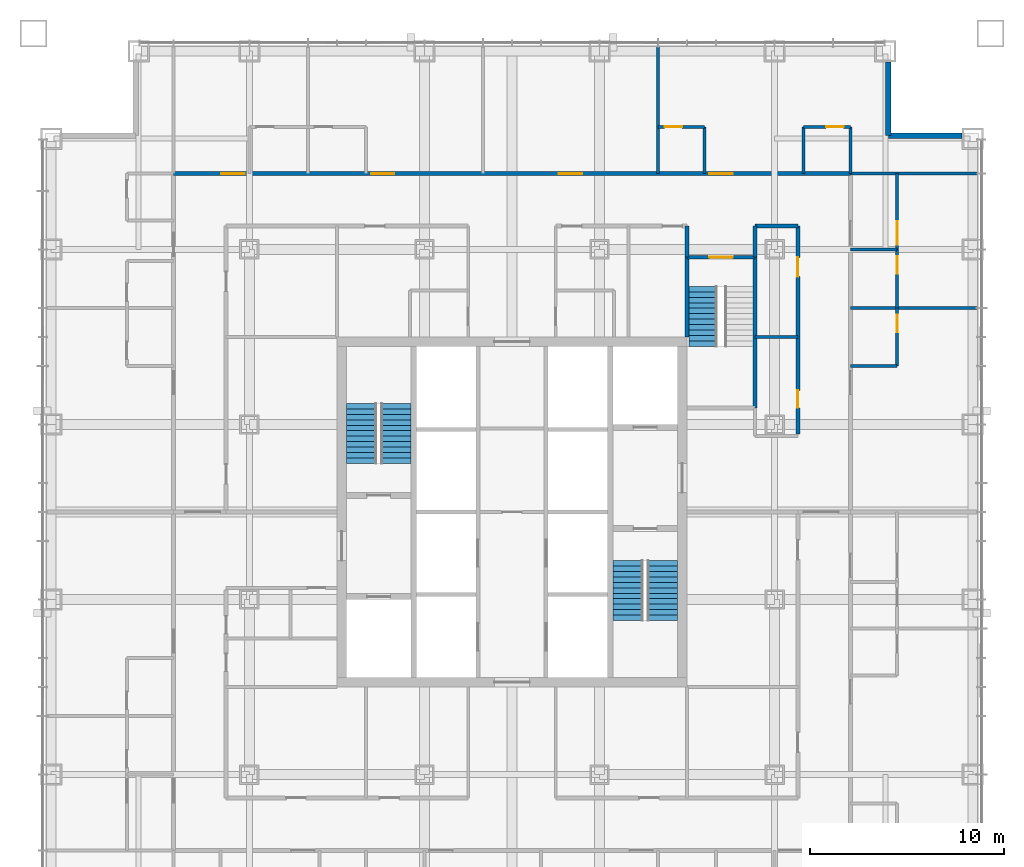
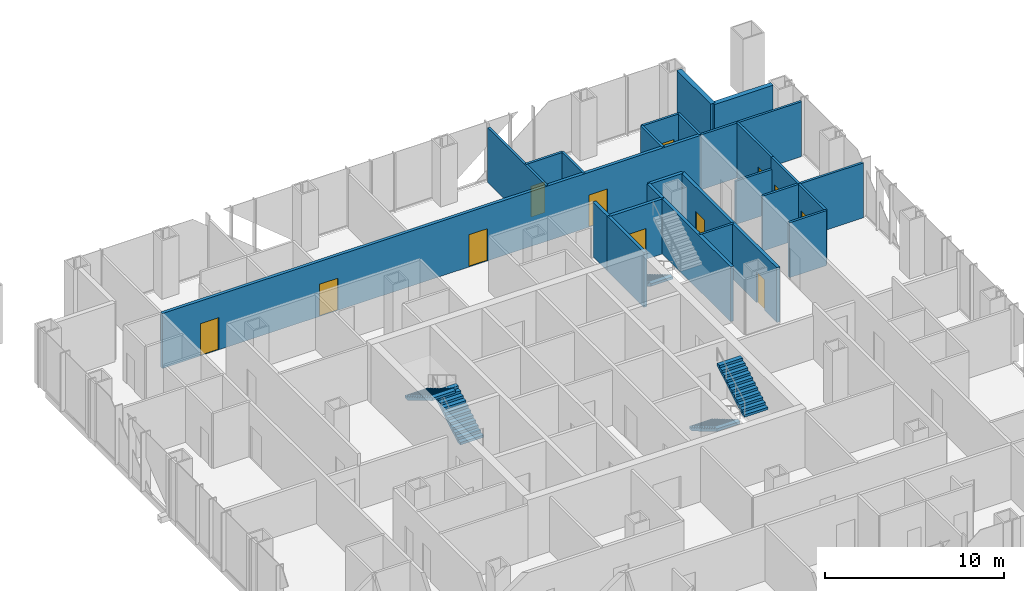
# One storey, part 12 of 18: 24 walls, 12 doors, 5 stair flights, 12 openings, 3 elements without a shape of their own.
"""IFC4 building model written with IfcOpenShell, lengths in metres."""

from ifc_helpers import new_model, si_unit, direction, frame, frame_2d, origin, place, context, subcontext, project, spatial, polyline, rectangle, outline, extrude, material, layer, layer_set, type_object, element, fill, aggregate, save


model = new_model("IFC4")

# Units and contexts
model_context = context("Model", 3, precision=1e-05, world=origin(), true_north=direction((0.0, 1.0)))
body_context = subcontext(model_context, "Body", "Model", "MODEL_VIEW")
ifc_project = project(units=[si_unit("LENGTHUNIT", "METRE"), si_unit("AREAUNIT", "SQUARE_METRE"), si_unit("VOLUMEUNIT", "CUBIC_METRE"), si_unit("PLANEANGLEUNIT", "RADIAN"), si_unit("MASSUNIT", "GRAM", prefix="KILO")], contexts=[model_context])

# Site, building, storey
site_placement = place(None, origin())
site = spatial("IfcSite", under=ifc_project, at=site_placement, CompositionType="ELEMENT")
building_placement = place(site_placement, origin())
building = spatial("IfcBuilding", under=site, at=building_placement, Name="Malebo Sky Hospital", CompositionType="ELEMENT")
storey_placement = place(building_placement, frame((0.0, 0.0, 124.0)))
storey = spatial("IfcBuildingStorey", under=building, at=storey_placement, Name="L29", CompositionType="ELEMENT", Elevation=124.0)

# Wall, openings, doors
ifc_material_1 = material(Name="Gypsum board on steel studs", Category="steel")
ifc_layer_1 = layer(ifc_material_1, 0.199951171875)
ifc_layer_set_1 = layer_set([ifc_layer_1], Name="CORRIDOR WALL 200")
wall_type_1 = type_object("IfcWallType", Name="CORRIDOR WALL 200", PredefinedType="PARTITIONING", material=ifc_layer_set_1)
wall_1_placement = place(storey_placement, frame((42.60009765625, 79.39990234375, 0.0), z_axis=(0.0, 0.0, 1.0), x_axis=(1.0, 0.0, 0.0)))
wall_1 = element("IfcWall", 1, at=wall_1_placement, inside=storey, type_object=wall_type_1, Name="Corridor Wall 200 NCO", PredefinedType="PARTITIONING", context=body_context, shape_type="SweptSolid", body=[
    extrude(rectangle(XDim=34.7998046875, YDim=0.199951171875, at=frame_2d((17.39990234375, 0.0))), origin(), (0.0, 0.0, 1.0), 3.75),
])
opening_1_placement = place(wall_1_placement, frame((2.449951171875, 0.0, 0.0)))
opening_1 = element("IfcOpeningElement", 2, at=opening_1_placement, cuts=wall_1, Name="Opening D01", PredefinedType="OPENING", context=body_context, shape_type="SweptSolid", body=[
    extrude(rectangle(XDim=1.199951171875, YDim=2.199951171875, at=frame_2d((0.60009765625, 1.10009765625))), frame((0.0, 0.10986328125, 0.0), z_axis=(0.0, -1.0, 0.0), x_axis=(1.0, 0.0, 0.0)), (0.0, 0.0, 1.0), 0.219970703125),
])
opening_2_placement = place(wall_1_placement, frame((10.14990234375, 0.0, 0.0)))
opening_2 = element("IfcOpeningElement", 3, at=opening_2_placement, cuts=wall_1, Name="Opening D01", PredefinedType="OPENING", context=body_context, shape_type="SweptSolid", body=[
    extrude(rectangle(XDim=1.199951171875, YDim=2.199951171875, at=frame_2d((0.60009765625, 1.10009765625))), frame((0.0, 0.10986328125, 0.0), z_axis=(0.0, -1.0, 0.0), x_axis=(1.0, 0.0, 0.0)), (0.0, 0.0, 1.0), 0.219970703125),
])
opening_3_placement = place(wall_1_placement, frame((19.800048828125, 0.0, 0.0)))
opening_3 = element("IfcOpeningElement", 4, at=opening_3_placement, cuts=wall_1, Name="Opening D01", PredefinedType="OPENING", context=body_context, shape_type="SweptSolid", body=[
    extrude(rectangle(XDim=1.199951171875, YDim=2.199951171875, at=frame_2d((0.60009765625, 1.10009765625))), frame((0.0, 0.10986328125, 0.0), z_axis=(0.0, -1.0, 0.0), x_axis=(1.0, 0.0, 0.0)), (0.0, 0.0, 1.0), 0.219970703125),
])
opening_4_placement = place(wall_1_placement, frame((27.550048828125, 0.0, 0.0)))
opening_4 = element("IfcOpeningElement", 5, at=opening_4_placement, cuts=wall_1, Name="Opening D01", PredefinedType="OPENING", context=body_context, shape_type="SweptSolid", body=[
    extrude(rectangle(XDim=1.199951171875, YDim=2.199951171875, at=frame_2d((0.60009765625, 1.10009765625))), frame((0.0, 0.10986328125, 0.0), z_axis=(0.0, -1.0, 0.0), x_axis=(1.0, 0.0, 0.0)), (0.0, 0.0, 1.0), 0.219970703125),
])
ifc_material_2 = material(Name="Hardwood-faced door leaf in steel frame", Category="steel")
door_type_1 = type_object("IfcDoorType", Name="BED DOOR 1200", OperationType="SINGLE_SWING_LEFT", PredefinedType="DOOR", material=ifc_material_2)
door_1_placement = place(opening_1_placement, origin())
door_1 = element("IfcDoor", 6, at=door_1_placement, inside=storey, type_object=door_type_1, Name="Two-bed room door", OperationType="SINGLE_SWING_RIGHT", OverallHeight=2.199951171875, OverallWidth=1.199951171875, PredefinedType="DOOR", context=body_context, shape_type="SweptSolid", body=[
    extrude(rectangle(XDim=1.199951171875, YDim=2.199951171875, at=frame_2d((0.60009765625, 1.10009765625))), frame((0.0, 0.02490234375, 0.0), z_axis=(0.0, -1.0, 0.0), x_axis=(1.0, 0.0, 0.0)), (0.0, 0.0, 1.0), 0.050048828125),
])
fill(opening_1, door_1)
door_2_placement = place(opening_2_placement, origin())
door_2 = element("IfcDoor", 7, at=door_2_placement, inside=storey, type_object=door_type_1, Name="Two-bed room door", OperationType="SINGLE_SWING_LEFT", OverallHeight=2.199951171875, OverallWidth=1.199951171875, PredefinedType="DOOR", context=body_context, shape_type="SweptSolid", body=[
    extrude(rectangle(XDim=1.199951171875, YDim=2.199951171875, at=frame_2d((0.60009765625, 1.10009765625))), frame((0.0, 0.02490234375, 0.0), z_axis=(0.0, -1.0, 0.0), x_axis=(1.0, 0.0, 0.0)), (0.0, 0.0, 1.0), 0.050048828125),
])
fill(opening_2, door_2)
door_3_placement = place(opening_3_placement, origin())
door_3 = element("IfcDoor", 8, at=door_3_placement, inside=storey, type_object=door_type_1, Name="Therapy room door", OperationType="SINGLE_SWING_LEFT", OverallHeight=2.199951171875, OverallWidth=1.199951171875, PredefinedType="DOOR", context=body_context, shape_type="SweptSolid", body=[
    extrude(rectangle(XDim=1.199951171875, YDim=2.199951171875, at=frame_2d((0.60009765625, 1.10009765625))), frame((0.0, 0.02490234375, 0.0), z_axis=(0.0, -1.0, 0.0), x_axis=(1.0, 0.0, 0.0)), (0.0, 0.0, 1.0), 0.050048828125),
])
fill(opening_3, door_3)
door_4_placement = place(opening_4_placement, origin())
door_4 = element("IfcDoor", 9, at=door_4_placement, inside=storey, type_object=door_type_1, Name="Four-bed bay door", OperationType="SINGLE_SWING_LEFT", OverallHeight=2.199951171875, OverallWidth=1.199951171875, PredefinedType="DOOR", context=body_context, shape_type="SweptSolid", body=[
    extrude(rectangle(XDim=1.199951171875, YDim=2.199951171875, at=frame_2d((0.60009765625, 1.10009765625))), frame((0.0, 0.02490234375, 0.0), z_axis=(0.0, -1.0, 0.0), x_axis=(1.0, 0.0, 0.0)), (0.0, 0.0, 1.0), 0.050048828125),
])
fill(opening_4, door_4)

# Wall
wall_2_placement = place(storey_placement, frame((72.5, 76.699951171875, 0.0), z_axis=(0.0, 0.0, 1.0), x_axis=(1.0, 0.0, 0.0)))
element("IfcWall", 10, at=wall_2_placement, inside=storey, type_object=wall_type_1, Name="Corridor Wall 200 NCI2/2", PredefinedType="PARTITIONING", context=body_context, shape_type="SweptSolid", body=[
    extrude(rectangle(XDim=2.199951171875, YDim=0.199951171875, at=frame_2d((1.10009765625, 0.0))), origin(), (0.0, 0.0, 1.0), 3.75),
])

# Wall, openings, doors
wall_3_placement = place(storey_placement, frame((74.699951171875, 76.699951171875, 0.0), z_axis=(0.0, 0.0, 1.0), x_axis=(0.0, -1.0, 0.0)))
wall_3 = element("IfcWall", 11, at=wall_3_placement, inside=storey, type_object=wall_type_1, Name="Corridor Wall 200 ECI1", PredefinedType="PARTITIONING", context=body_context, shape_type="SweptSolid", body=[
    extrude(rectangle(XDim=10.699951171875, YDim=0.199951171875, at=frame_2d((5.35009765625, 0.0))), origin(), (0.0, 0.0, 1.0), 3.75),
])
opening_5_placement = place(wall_3_placement, frame((1.60009765625, 0.0, 0.0)))
opening_5 = element("IfcOpeningElement", 12, at=opening_5_placement, cuts=wall_3, Name="Opening D03", PredefinedType="OPENING", context=body_context, shape_type="SweptSolid", body=[
    extrude(rectangle(XDim=1.0, YDim=2.10009765625, at=frame_2d((0.5, 1.050048828125))), frame((0.0, 0.10986328125, 0.0), z_axis=(0.0, -1.0, 0.0), x_axis=(1.0, 0.0, 0.0)), (0.0, 0.0, 1.0), 0.219970703125),
])
opening_6_placement = place(wall_3_placement, frame((8.449951171875, 0.0, 0.0)))
opening_6 = element("IfcOpeningElement", 13, at=opening_6_placement, cuts=wall_3, Name="Opening D04", PredefinedType="OPENING", context=body_context, shape_type="SweptSolid", body=[
    extrude(rectangle(XDim=0.89990234375, YDim=2.10009765625, at=frame_2d((0.449951171875, 1.050048828125))), frame((0.0, 0.10986328125, 0.0), z_axis=(0.0, -1.0, 0.0), x_axis=(1.0, 0.0, 0.0)), (0.0, 0.0, 1.0), 0.219970703125),
])
door_type_2 = type_object("IfcDoorType", Name="ROOM DOOR 1000", OperationType="SINGLE_SWING_LEFT", PredefinedType="DOOR", material=ifc_material_2)
door_5_placement = place(opening_5_placement, origin())
door_5 = element("IfcDoor", 14, at=door_5_placement, inside=storey, type_object=door_type_2, Name="Clean utility room door", OperationType="SINGLE_SWING_LEFT", OverallHeight=2.10009765625, OverallWidth=1.0, PredefinedType="DOOR", context=body_context, shape_type="SweptSolid", body=[
    extrude(rectangle(XDim=1.0, YDim=2.10009765625, at=frame_2d((0.5, 1.050048828125))), frame((0.0, 0.02490234375, 0.0), z_axis=(0.0, -1.0, 0.0), x_axis=(1.0, 0.0, 0.0)), (0.0, 0.0, 1.0), 0.050048828125),
])
fill(opening_5, door_5)
door_type_3 = type_object("IfcDoorType", Name="ROOM DOOR 900", OperationType="SINGLE_SWING_LEFT", PredefinedType="DOOR", material=ifc_material_2)
door_6_placement = place(opening_6_placement, origin())
door_6 = element("IfcDoor", 15, at=door_6_placement, inside=storey, type_object=door_type_3, Name="Equipment store door", OperationType="SINGLE_SWING_RIGHT", OverallHeight=2.10009765625, OverallWidth=0.89990234375, PredefinedType="DOOR", context=body_context, shape_type="SweptSolid", body=[
    extrude(rectangle(XDim=0.89990234375, YDim=2.10009765625, at=frame_2d((0.449951171875, 1.050048828125))), frame((0.0, 0.02490234375, 0.0), z_axis=(0.0, -1.0, 0.0), x_axis=(1.0, 0.0, 0.0)), (0.0, 0.0, 1.0), 0.050048828125),
])
fill(opening_6, door_6)

# Walls
for number, where, z_axis, x_axis, name in (
    (16, (69.0, 75.10009765625, 0.0), (0.0, 0.0, 1.0), (0.0, 1.0, 0.0), "Corridor Wall 200 ST3AW"),
    (17, (72.5, 75.10009765625, 0.0), (0.0, 0.0, 1.0), (0.0, 1.0, 0.0), "Corridor Wall 200 ST3AE"),
):
    element("IfcWall", number, at=place(storey_placement, frame(where, z_axis=z_axis, x_axis=x_axis)), inside=storey, type_object=wall_type_1, Name=name, PredefinedType="PARTITIONING", context=body_context, shape_type="SweptSolid", body=[
        extrude(rectangle(XDim=1.599853515625, YDim=0.199951171875, at=frame_2d((0.7998046875, 0.0))), origin(), (0.0, 0.0, 1.0), 3.75),
    ])
ifc_material_3 = material(Name="Anodised aluminium rainscreen on steel framing", Category="steel")
ifc_layer_2 = layer(ifc_material_3, 0.300048828125)
ifc_layer_set_2 = layer_set([ifc_layer_2], Name="NOTCH RAINSCREEN WALL 300")
wall_type_2 = type_object("IfcWallType", Name="NOTCH RAINSCREEN WALL 300", PredefinedType="ELEMENTEDWALL", material=ifc_layer_set_2)
for number, where, z_axis, x_axis, name in (
    (18, (79.35009765625, 85.14990234375, 0.0), (0.0, 0.0, 1.0), (0.0, -1.0, 0.0), "Notch rainscreen wall N1 L29"),
    (19, (79.35009765625, 81.35009765625, 0.0), (0.0, 0.0, 1.0), (1.0, 0.0, 0.0), "Notch rainscreen wall N2 L29"),
):
    element("IfcWall", number, at=place(storey_placement, frame(where, z_axis=z_axis, x_axis=x_axis)), inside=storey, type_object=wall_type_2, Name=name, PredefinedType="ELEMENTEDWALL", context=body_context, shape_type="SweptSolid", body=[
        extrude(rectangle(XDim=3.7998046875, YDim=0.300048828125, at=frame_2d((1.89990234375, 0.0))), origin(), (0.0, 0.0, 1.0), 4.0),
    ])
ifc_layer_3 = layer(ifc_material_1, 0.14990234375)
ifc_layer_set_3 = layer_set([ifc_layer_3], Name="PARTITION 150")
wall_type_3 = type_object("IfcWallType", Name="PARTITION 150", PredefinedType="PARTITIONING", material=ifc_layer_set_3)
wall_4_placement = place(storey_placement, frame((67.5, 79.39990234375, 0.0), z_axis=(0.0, 0.0, 1.0), x_axis=(0.0, 1.0, 0.0)))
element("IfcWall", 20, at=wall_4_placement, inside=storey, type_object=wall_type_3, Name="Partition 150 NP+7.5", PredefinedType="PARTITIONING", context=body_context, shape_type="SweptSolid", body=[
    extrude(rectangle(XDim=6.510009765625, YDim=0.14990234375, at=frame_2d((3.2548828125, 0.0))), origin(), (0.0, 0.0, 1.0), 3.75),
])

# Wall, opening, door
wall_5_placement = place(storey_placement, frame((67.5, 81.800048828125, 0.0), z_axis=(0.0, 0.0, 1.0), x_axis=(1.0, 0.0, 0.0)))
wall_5 = element("IfcWall", 21, at=wall_5_placement, inside=storey, type_object=wall_type_3, Name="Partition 150 NE3F", PredefinedType="PARTITIONING", context=body_context, shape_type="SweptSolid", body=[
    extrude(rectangle(XDim=2.39990234375, YDim=0.14990234375, at=frame_2d((1.199951171875, 0.0))), origin(), (0.0, 0.0, 1.0), 3.75),
])
opening_7_placement = place(wall_5_placement, frame((0.35009765625, 0.0, 0.0)))
opening_7 = element("IfcOpeningElement", 22, at=opening_7_placement, cuts=wall_5, Name="Opening D02", PredefinedType="OPENING", context=body_context, shape_type="SweptSolid", body=[
    extrude(rectangle(XDim=0.89990234375, YDim=2.10009765625, at=frame_2d((0.449951171875, 1.050048828125))), frame((0.0, 0.0849609375, 0.0), z_axis=(0.0, -1.0, 0.0), x_axis=(1.0, 0.0, 0.0)), (0.0, 0.0, 1.0), 0.169921875),
])
door_type_4 = type_object("IfcDoorType", Name="EN-SUITE DOOR 900", OperationType="SINGLE_SWING_LEFT", PredefinedType="DOOR", material=ifc_material_2)
door_7_placement = place(opening_7_placement, origin())
door_7 = element("IfcDoor", 23, at=door_7_placement, inside=storey, type_object=door_type_4, Name="En-suite door", OperationType="SINGLE_SWING_LEFT", OverallHeight=2.10009765625, OverallWidth=0.89990234375, PredefinedType="DOOR", context=body_context, shape_type="SweptSolid", body=[
    extrude(rectangle(XDim=0.89990234375, YDim=2.10009765625, at=frame_2d((0.449951171875, 1.050048828125))), frame((0.0, 0.02490234375, 0.0), z_axis=(0.0, -1.0, 0.0), x_axis=(1.0, 0.0, 0.0)), (0.0, 0.0, 1.0), 0.050048828125),
])
fill(opening_7, door_7)

# Wall
wall_6_placement = place(storey_placement, frame((69.89990234375, 79.39990234375, 0.0), z_axis=(0.0, 0.0, 1.0), x_axis=(0.0, 1.0, 0.0)))
element("IfcWall", 24, at=wall_6_placement, inside=storey, type_object=wall_type_3, Name="Partition 150 NE3S", PredefinedType="PARTITIONING", context=body_context, shape_type="SweptSolid", body=[
    extrude(rectangle(XDim=2.400146484375, YDim=0.14990234375, at=frame_2d((1.2001953125, 0.0))), origin(), (0.0, 0.0, 1.0), 3.75),
])

# Wall, opening, door
wall_7_placement = place(storey_placement, frame((75.0, 81.800048828125, 0.0), z_axis=(0.0, 0.0, 1.0), x_axis=(1.0, 0.0, 0.0)))
wall_7 = element("IfcWall", 25, at=wall_7_placement, inside=storey, type_object=wall_type_3, Name="Partition 150 NG3F", PredefinedType="PARTITIONING", context=body_context, shape_type="SweptSolid", body=[
    extrude(rectangle(XDim=2.39990234375, YDim=0.14990234375, at=frame_2d((1.199951171875, 0.0))), origin(), (0.0, 0.0, 1.0), 3.75),
])
opening_8_placement = place(wall_7_placement, frame((1.14990234375, 0.0, 0.0)))
opening_8 = element("IfcOpeningElement", 26, at=opening_8_placement, cuts=wall_7, Name="Opening D02", PredefinedType="OPENING", context=body_context, shape_type="SweptSolid", body=[
    extrude(rectangle(XDim=0.89990234375, YDim=2.10009765625, at=frame_2d((0.449951171875, 1.050048828125))), frame((0.0, 0.0849609375, 0.0), z_axis=(0.0, -1.0, 0.0), x_axis=(1.0, 0.0, 0.0)), (0.0, 0.0, 1.0), 0.169921875),
])
door_8_placement = place(opening_8_placement, origin())
door_8 = element("IfcDoor", 27, at=door_8_placement, inside=storey, type_object=door_type_4, Name="En-suite door", OperationType="SINGLE_SWING_RIGHT", OverallHeight=2.10009765625, OverallWidth=0.89990234375, PredefinedType="DOOR", context=body_context, shape_type="SweptSolid", body=[
    extrude(rectangle(XDim=0.89990234375, YDim=2.10009765625, at=frame_2d((0.449951171875, 1.050048828125))), frame((0.0, 0.02490234375, 0.0), z_axis=(0.0, -1.0, 0.0), x_axis=(1.0, 0.0, 0.0)), (0.0, 0.0, 1.0), 0.050048828125),
])
fill(opening_8, door_8)

# Walls
for number, where, z_axis, x_axis, name in (
    (28, (75.0, 79.39990234375, 0.0), (0.0, 0.0, 1.0), (0.0, 1.0, 0.0), "Partition 150 NG3S"),
    (29, (77.39990234375, 79.39990234375, 0.0), (0.0, 0.0, 1.0), (0.0, 1.0, 0.0), "Partition 150 NEZ"),
):
    element("IfcWall", number, at=place(storey_placement, frame(where, z_axis=z_axis, x_axis=x_axis)), inside=storey, type_object=wall_type_3, Name=name, PredefinedType="PARTITIONING", context=body_context, shape_type="SweptSolid", body=[
        extrude(rectangle(XDim=2.400146484375, YDim=0.14990234375, at=frame_2d((1.2001953125, 0.0))), origin(), (0.0, 0.0, 1.0), 3.75),
    ])
for number, where, z_axis, x_axis, name in (
    (30, (77.39990234375, 72.5, 0.0), (0.0, 0.0, 1.0), (1.0, 0.0, 0.0), "Partition 150 EP-10.5"),
    (31, (77.39990234375, 79.39990234375, 0.0), (0.0, 0.0, 1.0), (1.0, 0.0, 0.0), "Partition 150 EP0"),
):
    element("IfcWall", number, at=place(storey_placement, frame(where, z_axis=z_axis, x_axis=x_axis)), inside=storey, type_object=wall_type_3, Name=name, PredefinedType="PARTITIONING", context=body_context, shape_type="SweptSolid", body=[
        extrude(rectangle(XDim=6.510009765625, YDim=0.14990234375, at=frame_2d((3.2548828125, 0.0))), origin(), (0.0, 0.0, 1.0), 3.75),
    ])

# Wall, opening, door
wall_8_placement = place(storey_placement, frame((79.800048828125, 75.5, 0.0), z_axis=(0.0, 0.0, 1.0), x_axis=(0.0, -1.0, 0.0)))
wall_8 = element("IfcWall", 32, at=wall_8_placement, inside=storey, type_object=wall_type_3, Name="Partition 150 EE0F", PredefinedType="PARTITIONING", context=body_context, shape_type="SweptSolid", body=[
    extrude(rectangle(XDim=3.0, YDim=0.14990234375, at=frame_2d((1.5, 0.0))), origin(), (0.0, 0.0, 1.0), 3.75),
])
opening_9_placement = place(wall_8_placement, frame((0.35009765625, 0.0, 0.0)))
opening_9 = element("IfcOpeningElement", 33, at=opening_9_placement, cuts=wall_8, Name="Opening D02", PredefinedType="OPENING", context=body_context, shape_type="SweptSolid", body=[
    extrude(rectangle(XDim=0.89990234375, YDim=2.10009765625, at=frame_2d((0.449951171875, 1.050048828125))), frame((0.0, 0.0849609375, 0.0), z_axis=(0.0, -1.0, 0.0), x_axis=(1.0, 0.0, 0.0)), (0.0, 0.0, 1.0), 0.169921875),
])
door_9_placement = place(opening_9_placement, origin())
door_9 = element("IfcDoor", 34, at=door_9_placement, inside=storey, type_object=door_type_4, Name="En-suite door", OperationType="SINGLE_SWING_LEFT", OverallHeight=2.10009765625, OverallWidth=0.89990234375, PredefinedType="DOOR", context=body_context, shape_type="SweptSolid", body=[
    extrude(rectangle(XDim=0.89990234375, YDim=2.10009765625, at=frame_2d((0.449951171875, 1.050048828125))), frame((0.0, 0.02490234375, 0.0), z_axis=(0.0, -1.0, 0.0), x_axis=(1.0, 0.0, 0.0)), (0.0, 0.0, 1.0), 0.050048828125),
])
fill(opening_9, door_9)

# Wall
wall_9_placement = place(storey_placement, frame((77.39990234375, 75.5, 0.0), z_axis=(0.0, 0.0, 1.0), x_axis=(1.0, 0.0, 0.0)))
element("IfcWall", 35, at=wall_9_placement, inside=storey, type_object=wall_type_3, Name="Partition 150 EE0S", PredefinedType="PARTITIONING", context=body_context, shape_type="SweptSolid", body=[
    extrude(rectangle(XDim=2.400146484375, YDim=0.14990234375, at=frame_2d((1.2001953125, 0.0))), origin(), (0.0, 0.0, 1.0), 2.949951171875),
])

# Wall, opening, door
wall_10_placement = place(storey_placement, frame((79.800048828125, 72.5, 0.0), z_axis=(0.0, 0.0, 1.0), x_axis=(0.0, -1.0, 0.0)))
wall_10 = element("IfcWall", 36, at=wall_10_placement, inside=storey, type_object=wall_type_3, Name="Partition 150 EE1F", PredefinedType="PARTITIONING", context=body_context, shape_type="SweptSolid", body=[
    extrude(rectangle(XDim=3.0, YDim=0.14990234375, at=frame_2d((1.5, 0.0))), origin(), (0.0, 0.0, 1.0), 3.75),
])
opening_10_placement = place(wall_10_placement, frame((0.35009765625, 0.0, 0.0)))
opening_10 = element("IfcOpeningElement", 37, at=opening_10_placement, cuts=wall_10, Name="Opening D02", PredefinedType="OPENING", context=body_context, shape_type="SweptSolid", body=[
    extrude(rectangle(XDim=0.89990234375, YDim=2.10009765625, at=frame_2d((0.449951171875, 1.050048828125))), frame((0.0, 0.0849609375, 0.0), z_axis=(0.0, -1.0, 0.0), x_axis=(1.0, 0.0, 0.0)), (0.0, 0.0, 1.0), 0.169921875),
])
door_10_placement = place(opening_10_placement, origin())
door_10 = element("IfcDoor", 38, at=door_10_placement, inside=storey, type_object=door_type_4, Name="En-suite door", OperationType="SINGLE_SWING_LEFT", OverallHeight=2.10009765625, OverallWidth=0.89990234375, PredefinedType="DOOR", context=body_context, shape_type="SweptSolid", body=[
    extrude(rectangle(XDim=0.89990234375, YDim=2.10009765625, at=frame_2d((0.449951171875, 1.050048828125))), frame((0.0, 0.02490234375, 0.0), z_axis=(0.0, -1.0, 0.0), x_axis=(1.0, 0.0, 0.0)), (0.0, 0.0, 1.0), 0.050048828125),
])
fill(opening_10, door_10)

# Walls
wall_11_placement = place(storey_placement, frame((77.39990234375, 69.5, 0.0), z_axis=(0.0, 0.0, 1.0), x_axis=(1.0, 0.0, 0.0)))
element("IfcWall", 39, at=wall_11_placement, inside=storey, type_object=wall_type_3, Name="Partition 150 EE1S", PredefinedType="PARTITIONING", context=body_context, shape_type="SweptSolid", body=[
    extrude(rectangle(XDim=2.400146484375, YDim=0.14990234375, at=frame_2d((1.2001953125, 0.0))), origin(), (0.0, 0.0, 1.0), 3.75),
])
wall_12_placement = place(storey_placement, frame((72.5, 71.0, 0.0), z_axis=(0.0, 0.0, 1.0), x_axis=(1.0, 0.0, 0.0)))
element("IfcWall", 40, at=wall_12_placement, inside=storey, type_object=wall_type_3, Name="Partition 150 ESP0", PredefinedType="PARTITIONING", context=body_context, shape_type="SweptSolid", body=[
    extrude(rectangle(XDim=2.199951171875, YDim=0.14990234375, at=frame_2d((1.10009765625, 0.0))), origin(), (0.0, 0.0, 1.0), 3.75),
])

# Wall, opening, door
ifc_material_4 = material(Name="Sealed gypsum board on steel studs, taped to the slab", Category="steel")
ifc_layer_4 = layer(ifc_material_4, 0.14990234375)
ifc_layer_set_4 = layer_set([ifc_layer_4], Name="SEALED ISOLATION PARTITION 150")
wall_type_4 = type_object("IfcWallType", Name="SEALED ISOLATION PARTITION 150", PredefinedType="PARTITIONING", material=ifc_layer_set_4)
wall_13_placement = place(storey_placement, frame((79.800048828125, 79.39990234375, 0.0), z_axis=(0.0, 0.0, 1.0), x_axis=(0.0, -1.0, 0.0)))
wall_13 = element("IfcWall", 41, at=wall_13_placement, inside=storey, type_object=wall_type_4, Name="Sealed Isolation Partition 150 EA0F", PredefinedType="PARTITIONING", context=body_context, shape_type="SweptSolid", body=[
    extrude(rectangle(XDim=3.89990234375, YDim=0.14990234375, at=frame_2d((1.949951171875, 0.0))), origin(), (0.0, 0.0, 1.0), 3.75),
])
opening_11_placement = place(wall_13_placement, frame((2.449951171875, 0.0, 0.0)))
opening_11 = element("IfcOpeningElement", 42, at=opening_11_placement, cuts=wall_13, Name="Opening D19", PredefinedType="OPENING", context=body_context, shape_type="SweptSolid", body=[
    extrude(rectangle(XDim=1.199951171875, YDim=2.199951171875, at=frame_2d((0.60009765625, 1.10009765625))), frame((0.0, 0.0849609375, 0.0), z_axis=(0.0, -1.0, 0.0), x_axis=(1.0, 0.0, 0.0)), (0.0, 0.0, 1.0), 0.169921875),
])
ifc_material_5 = material(Name="Hardwood-faced door leaf with perimeter seals in steel frame", Category="steel")
door_type_5 = type_object("IfcDoorType", Name="SEALED ISOLATION ROOM DOOR 1200", OperationType="SINGLE_SWING_LEFT", PredefinedType="DOOR", material=ifc_material_5)
door_11_placement = place(opening_11_placement, origin())
door_11 = element("IfcDoor", 43, at=door_11_placement, inside=storey, type_object=door_type_5, Name="Isolation room door", OperationType="SINGLE_SWING_RIGHT", OverallHeight=2.199951171875, OverallWidth=1.199951171875, PredefinedType="DOOR", context=body_context, shape_type="SweptSolid", body=[
    extrude(rectangle(XDim=1.199951171875, YDim=2.199951171875, at=frame_2d((0.60009765625, 1.10009765625))), frame((0.0, 0.02490234375, 0.0), z_axis=(0.0, -1.0, 0.0), x_axis=(1.0, 0.0, 0.0)), (0.0, 0.0, 1.0), 0.050048828125),
])
fill(opening_11, door_11)

# Walls
ifc_material_6 = material(Name="Concrete C40/50", Category="concrete")
ifc_layer_5 = layer(ifc_material_6, 0.199951171875)
ifc_layer_set_5 = layer_set([ifc_layer_5], Name="STAIR ENCLOSURE WALL 200")
wall_type_5 = type_object("IfcWallType", Name="STAIR ENCLOSURE WALL 200", PredefinedType="SOLIDWALL", material=ifc_layer_set_5)
wall_14_placement = place(storey_placement, frame((69.0, 71.0, 0.0), z_axis=(0.0, 0.0, 1.0), x_axis=(0.0, 1.0, 0.0)))
element("IfcWall", 44, at=wall_14_placement, inside=storey, type_object=wall_type_5, Name="Stair Enclosure Wall 200 ST3W", PredefinedType="SOLIDWALL", context=body_context, shape_type="SweptSolid", body=[
    extrude(rectangle(XDim=4.10009765625, YDim=0.199951171875, at=frame_2d((2.050048828125, 0.0))), origin(), (0.0, 0.0, 1.0), 3.75),
])
wall_15_placement = place(storey_placement, frame((72.5, 67.35009765625, 0.0), z_axis=(0.0, 0.0, 1.0), x_axis=(0.0, 1.0, 0.0)))
element("IfcWall", 45, at=wall_15_placement, inside=storey, type_object=wall_type_5, Name="Stair Enclosure Wall 200 ST3E", PredefinedType="SOLIDWALL", context=body_context, shape_type="SweptSolid", body=[
    extrude(rectangle(XDim=7.75, YDim=0.199951171875, at=frame_2d((3.875, 0.0))), origin(), (0.0, 0.0, 1.0), 3.75),
])

# Wall, opening, door
wall_16_placement = place(storey_placement, frame((69.0, 75.10009765625, 0.0), z_axis=(0.0, 0.0, 1.0), x_axis=(1.0, 0.0, 0.0)))
wall_16 = element("IfcWall", 46, at=wall_16_placement, inside=storey, type_object=wall_type_5, Name="Stair Enclosure Wall 200 ST3N", PredefinedType="SOLIDWALL", context=body_context, shape_type="SweptSolid", body=[
    extrude(rectangle(XDim=3.5, YDim=0.199951171875, at=frame_2d((1.75, 0.0))), origin(), (0.0, 0.0, 1.0), 3.75),
])
opening_12_placement = place(wall_16_placement, frame((1.14990234375, 0.0, 0.0)))
opening_12 = element("IfcOpeningElement", 47, at=opening_12_placement, cuts=wall_16, Name="Opening D08", PredefinedType="OPENING", context=body_context, shape_type="SweptSolid", body=[
    extrude(rectangle(XDim=1.199951171875, YDim=2.10009765625, at=frame_2d((0.60009765625, 1.050048828125))), frame((0.0, 0.10986328125, 0.0), z_axis=(0.0, -1.0, 0.0), x_axis=(1.0, 0.0, 0.0)), (0.0, 0.0, 1.0), 0.219970703125),
])
door_type_6 = type_object("IfcDoorType", Name="STAIR DOOR 1200", OperationType="SINGLE_SWING_LEFT", PredefinedType="DOOR", material=ifc_material_2)
door_12_placement = place(opening_12_placement, origin())
door_12 = element("IfcDoor", 48, at=door_12_placement, inside=storey, type_object=door_type_6, Name="Stair S3 door", OperationType="SINGLE_SWING_LEFT", OverallHeight=2.10009765625, OverallWidth=1.199951171875, PredefinedType="DOOR", context=body_context, shape_type="SweptSolid", body=[
    extrude(rectangle(XDim=1.199951171875, YDim=2.10009765625, at=frame_2d((0.60009765625, 1.050048828125))), frame((0.0, 0.02490234375, 0.0), z_axis=(0.0, -1.0, 0.0), x_axis=(1.0, 0.0, 0.0)), (0.0, 0.0, 1.0), 0.050048828125),
])
fill(opening_12, door_12)

# Stair, stair flight
stair_type_1 = type_object("IfcStairType", Name="HALF-TURN STAIR 1400 R167", PredefinedType="HALF_TURN_STAIR", material=ifc_material_6)
stair_1_placement = place(storey_placement, origin())
stair_1 = element("IfcStair", 49, at=stair_1_placement, inside=storey, type_object=stair_type_1, Name="Stair S3 L29 type ST1B", PredefinedType="HALF_TURN_STAIR")
stair_flight_type_1 = type_object("IfcStairFlightType", Name="STAIR FLIGHT 1400 R167", PredefinedType="STRAIGHT", material=ifc_material_6)
stair_flight_1_placement = place(storey_placement, frame((69.800048828125, 73.60009765625, 0.0), z_axis=(0.0, 0.0, 1.0), x_axis=(0.0, -1.0, 0.0)))
stair_flight_1 = element("IfcStairFlight", 50, at=stair_flight_1_placement, type_object=stair_flight_type_1, Name="S3 flight 1 type SF1B", NumberOfRisers=12, NumberOfTreads=11, PredefinedType="STRAIGHT", RiserHeight=0.166666667, TreadLength=0.28, context=body_context, shape_type="SweptSolid", body=[
    extrude(outline(polyline([(0.0, 0.0), (0.0, 0.166748046875), (0.280029296875, 0.166748046875), (0.280029296875, 0.333251953125), (0.56005859375, 0.333251953125), (0.56005859375, 0.5), (0.840087890625, 0.5), (0.840087890625, 0.666748046875), (1.1201171875, 0.666748046875), (1.1201171875, 0.833251953125), (1.39990234375, 0.833251953125), (1.39990234375, 1.0), (1.679931640625, 1.0), (1.679931640625, 1.166748046875), (1.9599609375, 1.166748046875), (1.9599609375, 1.333251953125), (2.239990234375, 1.333251953125), (2.239990234375, 1.5), (2.52001953125, 1.5), (2.52001953125, 1.666748046875), (2.800048828125, 1.666748046875), (2.800048828125, 1.833251953125), (3.080078125, 1.833251953125), (3.080078125, 2.0), (3.080078125, 1.658935546875), (0.29296875, 0.0), (0.0, 0.0)])), frame((0.0, 0.699951171875, 0.0), z_axis=(0.0, -1.0, 0.0), x_axis=(1.0, 0.0, 0.0)), (0.0, 0.0, 1.0), 1.39990234375),
])
aggregate(stair_1, [stair_flight_1])

# Stair, stair flights
stair_type_2 = type_object("IfcStairType", Name="HALF-TURN STAIR 1500 R167", PredefinedType="HALF_TURN_STAIR", material=ifc_material_6)
stair_2_placement = place(storey_placement, origin())
stair_2 = element("IfcStair", 51, at=stair_2_placement, inside=storey, type_object=stair_type_2, Name="Stair S1 L29 type ST1", PredefinedType="HALF_TURN_STAIR")
stair_flight_type_2 = type_object("IfcStairFlightType", Name="STAIR FLIGHT 1500 R167", PredefinedType="STRAIGHT", material=ifc_material_6)
stair_flight_2_placement = place(storey_placement, frame((54.050048828125, 64.5, 0.0), z_axis=(0.0, 0.0, 1.0), x_axis=(0.0, 1.0, 0.0)))
stair_flight_2 = element("IfcStairFlight", 52, at=stair_flight_2_placement, type_object=stair_flight_type_2, Name="S1 flight 1 type SF1", NumberOfRisers=12, NumberOfTreads=11, PredefinedType="STRAIGHT", RiserHeight=0.166666667, TreadLength=0.28, context=body_context, shape_type="SweptSolid", body=[
    extrude(outline(polyline([(0.0, 0.0), (0.0, 0.166748046875), (0.280029296875, 0.166748046875), (0.280029296875, 0.333251953125), (0.56005859375, 0.333251953125), (0.56005859375, 0.5), (0.840087890625, 0.5), (0.840087890625, 0.666748046875), (1.1201171875, 0.666748046875), (1.1201171875, 0.833251953125), (1.39990234375, 0.833251953125), (1.39990234375, 1.0), (1.679931640625, 1.0), (1.679931640625, 1.166748046875), (1.9599609375, 1.166748046875), (1.9599609375, 1.333251953125), (2.239990234375, 1.333251953125), (2.239990234375, 1.5), (2.52001953125, 1.5), (2.52001953125, 1.666748046875), (2.800048828125, 1.666748046875), (2.800048828125, 1.833251953125), (3.080078125, 1.833251953125), (3.080078125, 2.0), (3.080078125, 1.658935546875), (0.29296875, 0.0), (0.0, 0.0)])), frame((0.0, 0.75, 0.0), z_axis=(0.0, -1.0, 0.0), x_axis=(1.0, 0.0, 0.0)), (0.0, 0.0, 1.0), 1.5),
])
stair_flight_3_placement = place(storey_placement, frame((52.25, 67.580078125, 2.0), z_axis=(0.0, 0.0, 1.0), x_axis=(0.0, -1.0, 0.0)))
stair_flight_3 = element("IfcStairFlight", 53, at=stair_flight_3_placement, type_object=stair_flight_type_2, Name="S1 flight 2 type SF1", NumberOfRisers=12, NumberOfTreads=11, PredefinedType="STRAIGHT", RiserHeight=0.166666667, TreadLength=0.28, context=body_context, shape_type="SweptSolid", body=[
    extrude(outline(polyline([(0.0, 0.0), (0.0, 0.166748046875), (0.280029296875, 0.166748046875), (0.280029296875, 0.333251953125), (0.56005859375, 0.333251953125), (0.56005859375, 0.5), (0.840087890625, 0.5), (0.840087890625, 0.666748046875), (1.1201171875, 0.666748046875), (1.1201171875, 0.833251953125), (1.39990234375, 0.833251953125), (1.39990234375, 1.0), (1.679931640625, 1.0), (1.679931640625, 1.166748046875), (1.9599609375, 1.166748046875), (1.9599609375, 1.333251953125), (2.239990234375, 1.333251953125), (2.239990234375, 1.5), (2.52001953125, 1.5), (2.52001953125, 1.666748046875), (2.800048828125, 1.666748046875), (2.800048828125, 1.833251953125), (3.080078125, 1.833251953125), (3.080078125, 2.0), (3.080078125, 1.658935546875), (0.29296875, 0.0), (0.0, 0.0)])), frame((0.0, 0.75, 0.0), z_axis=(0.0, -1.0, 0.0), x_axis=(1.0, 0.0, 0.0)), (0.0, 0.0, 1.0), 1.5),
])
aggregate(stair_2, [stair_flight_2, stair_flight_3])

stair_3_placement = place(storey_placement, origin())
stair_3 = element("IfcStair", 54, at=stair_3_placement, inside=storey, type_object=stair_type_2, Name="Stair S2 L29 type ST1", PredefinedType="HALF_TURN_STAIR")
stair_flight_4_placement = place(storey_placement, frame((65.949951171875, 59.5, 0.0), z_axis=(0.0, 0.0, 1.0), x_axis=(0.0, -1.0, 0.0)))
stair_flight_4 = element("IfcStairFlight", 55, at=stair_flight_4_placement, type_object=stair_flight_type_2, Name="S2 flight 1 type SF1", NumberOfRisers=12, NumberOfTreads=11, PredefinedType="STRAIGHT", RiserHeight=0.166666667, TreadLength=0.28, context=body_context, shape_type="SweptSolid", body=[
    extrude(outline(polyline([(0.0, 0.0), (0.0, 0.166748046875), (0.280029296875, 0.166748046875), (0.280029296875, 0.333251953125), (0.56005859375, 0.333251953125), (0.56005859375, 0.5), (0.840087890625, 0.5), (0.840087890625, 0.666748046875), (1.1201171875, 0.666748046875), (1.1201171875, 0.833251953125), (1.39990234375, 0.833251953125), (1.39990234375, 1.0), (1.679931640625, 1.0), (1.679931640625, 1.166748046875), (1.9599609375, 1.166748046875), (1.9599609375, 1.333251953125), (2.239990234375, 1.333251953125), (2.239990234375, 1.5), (2.52001953125, 1.5), (2.52001953125, 1.666748046875), (2.800048828125, 1.666748046875), (2.800048828125, 1.833251953125), (3.080078125, 1.833251953125), (3.080078125, 2.0), (3.080078125, 1.658935546875), (0.29296875, 0.0), (0.0, 0.0)])), frame((0.0, 0.75, 0.0), z_axis=(0.0, -1.0, 0.0), x_axis=(1.0, 0.0, 0.0)), (0.0, 0.0, 1.0), 1.5),
])
stair_flight_5_placement = place(storey_placement, frame((67.75, 56.419921875, 2.0), z_axis=(0.0, 0.0, 1.0), x_axis=(0.0, 1.0, 0.0)))
stair_flight_5 = element("IfcStairFlight", 56, at=stair_flight_5_placement, type_object=stair_flight_type_2, Name="S2 flight 2 type SF1", NumberOfRisers=12, NumberOfTreads=11, PredefinedType="STRAIGHT", RiserHeight=0.166666667, TreadLength=0.28, context=body_context, shape_type="SweptSolid", body=[
    extrude(outline(polyline([(0.0, 0.0), (0.0, 0.166748046875), (0.280029296875, 0.166748046875), (0.280029296875, 0.333251953125), (0.56005859375, 0.333251953125), (0.56005859375, 0.5), (0.840087890625, 0.5), (0.840087890625, 0.666748046875), (1.1201171875, 0.666748046875), (1.1201171875, 0.833251953125), (1.39990234375, 0.833251953125), (1.39990234375, 1.0), (1.679931640625, 1.0), (1.679931640625, 1.166748046875), (1.9599609375, 1.166748046875), (1.9599609375, 1.333251953125), (2.239990234375, 1.333251953125), (2.239990234375, 1.5), (2.52001953125, 1.5), (2.52001953125, 1.666748046875), (2.800048828125, 1.666748046875), (2.800048828125, 1.833251953125), (3.080078125, 1.833251953125), (3.080078125, 2.0), (3.080078125, 1.658935546875), (0.29296875, 0.0), (0.0, 0.0)])), frame((0.0, 0.75, 0.0), z_axis=(0.0, -1.0, 0.0), x_axis=(1.0, 0.0, 0.0)), (0.0, 0.0, 1.0), 1.5),
])
aggregate(stair_3, [stair_flight_4, stair_flight_5])

save(model, "model.ifc")
